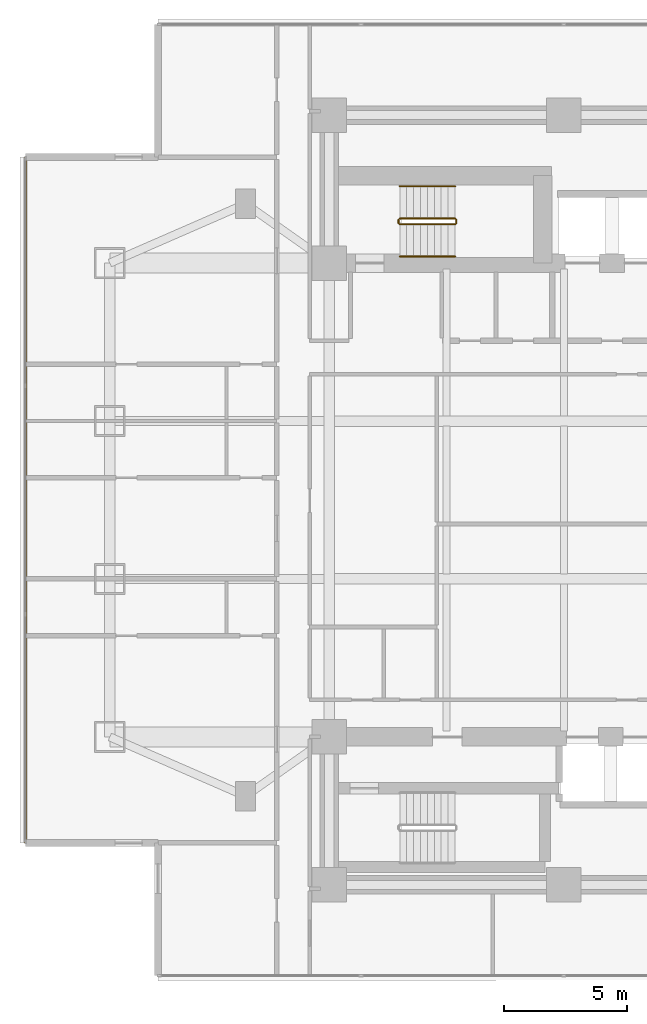
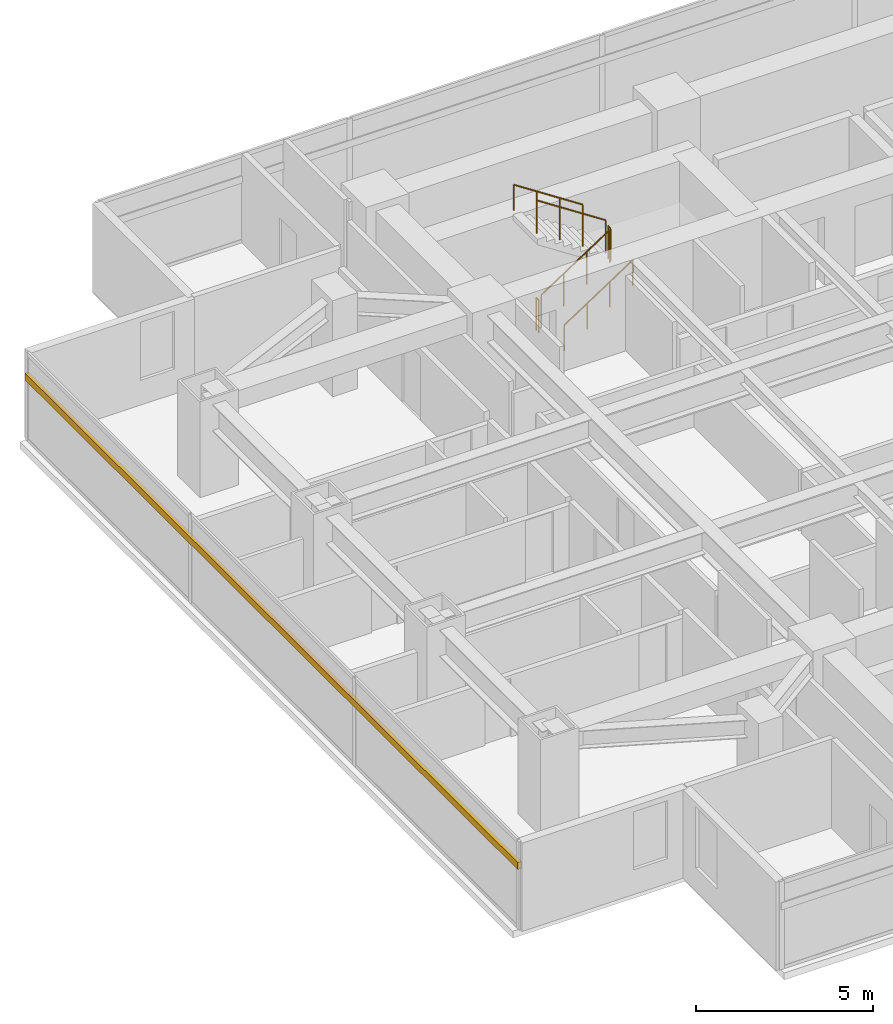
# One storey, part 22 of 25: 6 railings, 1 shading device.
"""IFC4 building model written with IfcOpenShell, lengths in metres."""

from ifc_helpers import new_model, si_unit, direction, frame, origin, origin_2d, place, context, subcontext, project, spatial, rectangle, circle, extrude, material, material_profile, profile_set, type_object, element, save


model = new_model("IFC4")

# Units and contexts
model_context = context("Model", 3, precision=1e-05, world=origin(), true_north=direction((0.0, 1.0)))
body_context = subcontext(model_context, "Body", "Model", "MODEL_VIEW")
ifc_project = project(units=[si_unit("LENGTHUNIT", "METRE"), si_unit("AREAUNIT", "SQUARE_METRE"), si_unit("VOLUMEUNIT", "CUBIC_METRE"), si_unit("PLANEANGLEUNIT", "RADIAN"), si_unit("MASSUNIT", "GRAM", prefix="KILO")], contexts=[model_context])

# Site, building, storey
site_placement = place(None, origin())
site = spatial("IfcSite", under=ifc_project, at=site_placement, CompositionType="ELEMENT")
building_placement = place(site_placement, origin())
building = spatial("IfcBuilding", under=site, at=building_placement, Name="Mirazonda Arch Towers", CompositionType="ELEMENT")
storey_placement = place(building_placement, frame((0.0, 0.0, 32.300048828125)))
storey = spatial("IfcBuildingStorey", under=building, at=storey_placement, Name="L08", CompositionType="ELEMENT", Elevation=32.300048828125)

# Shading device
ifc_material_1 = material(Name="Kiln-Fired Architectural Terracotta", Category="masonry")
ifc_material_profile = material_profile(ifc_material_1, rectangle(XDim=0.1201171875, YDim=0.239990234375, at=origin_2d()), Name="TERRA-BAG-120x240")
ifc_profile_set = profile_set([ifc_material_profile], Name="Kiln-Fired Architectural Terracotta")
shading_device_type = type_object("IfcShadingDeviceType", Name="BAGUETTE-1", PredefinedType="USERDEFINED", material=ifc_profile_set)
shading_device_placement = place(storey_placement, frame((-1.320068359375, 41.89404296875, 2.188720703125), z_axis=(0.0, -1.0, 0.0), x_axis=(1.0, 0.0, 0.0)))
element("IfcShadingDevice", 1, at=shading_device_placement, inside=storey, type_object=shading_device_type, Name="L08 Glazed Terracotta Sun-Screen Baguette CW-L08-T1-W", ObjectType="BAGUETTE", PredefinedType="USERDEFINED", context=body_context, shape_type="SweptSolid", body=[
    extrude(rectangle(XDim=0.1201171875, YDim=0.239990234375, at=origin_2d()), origin(), (0.0, 0.0, 1.0), 27.7880859375),
])

# Railings
ifc_material_2 = material(Name="Architectural Brushed Steel S355", Category="steel")
railing_type_1 = type_object("IfcRailingType", Name="GUARD-STAIR-1120", PredefinedType="GUARDRAIL", material=ifc_material_2)
railing_1_placement = place(storey_placement, frame((13.85009765625, 39.169921875, 0.183349609375)))
element("IfcRailing", 2, at=railing_1_placement, inside=storey, type_object=railing_type_1, Name="L08 ST-T1N stair guard 1", PredefinedType="GUARDRAIL", context=body_context, shape_type="SweptSolid", body=[
    extrude(circle(Radius=0.02392578125, at=origin_2d()), frame((0.0, 0.0, 1.1259765625), z_axis=(0.836636935527, 0.0, 0.547757827979), x_axis=(0.0, 1.0, 0.0)), (0.0, 0.0, 1.0), 2.677490234375),
    extrude(circle(Radius=0.02099609375, at=origin_2d()), origin(), (0.0, 0.0, 1.0), 1.101806640625),
    extrude(circle(Radius=0.02099609375, at=origin_2d()), frame((0.74658203125, 0.0, 0.48876953125)), (0.0, 0.0, 1.0), 1.101806640625),
    extrude(circle(Radius=0.02099609375, at=origin_2d()), frame((1.493408203125, 0.0, 0.977783203125)), (0.0, 0.0, 1.0), 1.101806640625),
    extrude(circle(Radius=0.02099609375, at=origin_2d()), frame((2.239990234375, 0.0, 1.466552734375)), (0.0, 0.0, 1.0), 1.101806640625),
])
railing_2_placement = place(storey_placement, frame((16.139892578125, 39.219970703125, 1.64990234375)))
element("IfcRailing", 3, at=railing_2_placement, inside=storey, type_object=railing_type_1, Name="L08 ST-T1N stair guard 2", PredefinedType="GUARDRAIL", context=body_context, shape_type="SweptSolid", body=[
    extrude(circle(Radius=0.02392578125, at=origin_2d()), frame((0.0, 0.0, 1.1259765625), z_axis=(0.0, 1.0, 0.0), x_axis=(-1.0, 0.0, 0.0)), (0.0, 0.0, 1.0), 0.14013671875),
    extrude(circle(Radius=0.02099609375, at=origin_2d()), origin(), (0.0, 0.0, 1.0), 1.101806640625),
    extrude(circle(Radius=0.02099609375, at=origin_2d()), frame((0.0, 0.14013671875, 0.0)), (0.0, 0.0, 1.0), 1.101806640625),
])
railing_3_placement = place(storey_placement, frame((16.090087890625, 39.409912109375, 1.833251953125)))
element("IfcRailing", 4, at=railing_3_placement, inside=storey, type_object=railing_type_1, Name="L08 ST-T1N stair guard 3", PredefinedType="GUARDRAIL", context=body_context, shape_type="SweptSolid", body=[
    extrude(circle(Radius=0.02392578125, at=origin_2d()), frame((0.0, 0.0, 1.1259765625), z_axis=(-0.836595146698, 0.0, 0.547821650285), x_axis=(0.0, -1.0, 0.0)), (0.0, 0.0, 1.0), 2.677490234375),
    extrude(circle(Radius=0.02099609375, at=origin_2d()), origin(), (0.0, 0.0, 1.0), 1.101806640625),
    extrude(circle(Radius=0.02099609375, at=origin_2d()), frame((-0.74658203125, 0.0, 0.489013671875)), (0.0, 0.0, 1.0), 1.101806640625),
    extrude(circle(Radius=0.02099609375, at=origin_2d()), frame((-1.493408203125, 0.0, 0.977783203125)), (0.0, 0.0, 1.0), 1.101806640625),
    extrude(circle(Radius=0.02099609375, at=origin_2d()), frame((-2.239990234375, 0.0, 1.466796875)), (0.0, 0.0, 1.0), 1.101806640625),
])
railing_4_placement = place(storey_placement, frame((13.800048828125, 39.219970703125, 0.0)))
element("IfcRailing", 5, at=railing_4_placement, inside=storey, type_object=railing_type_1, Name="L08 ST-T1N stair guard 4", PredefinedType="GUARDRAIL", context=body_context, shape_type="SweptSolid", body=[
    extrude(circle(Radius=0.02392578125, at=origin_2d()), frame((0.0, 0.0, 1.1259765625), z_axis=(0.0, 1.0, 0.0), x_axis=(-1.0, 0.0, 0.0)), (0.0, 0.0, 1.0), 0.14013671875),
    extrude(circle(Radius=0.02099609375, at=origin_2d()), origin(), (0.0, 0.0, 1.0), 1.101806640625),
    extrude(circle(Radius=0.02099609375, at=origin_2d()), frame((0.0, 0.14013671875, 0.0)), (0.0, 0.0, 1.0), 1.101806640625),
])
railing_type_2 = type_object("IfcRailingType", Name="HANDRAIL-915", PredefinedType="HANDRAIL", material=ifc_material_2)
railing_5_placement = place(storey_placement, frame((13.85009765625, 37.8701171875, 0.183349609375)))
element("IfcRailing", 6, at=railing_5_placement, inside=storey, type_object=railing_type_2, Name="L08 ST-T1N stair handrail 1", PredefinedType="HANDRAIL", context=body_context, shape_type="SweptSolid", body=[
    extrude(circle(Radius=0.02392578125, at=origin_2d()), frame((0.0, 0.0, 0.8759765625), z_axis=(0.836636935527, 0.0, 0.547757827979), x_axis=(0.0, 1.0, 0.0)), (0.0, 0.0, 1.0), 2.677490234375),
    extrude(circle(Radius=0.02099609375, at=origin_2d()), origin(), (0.0, 0.0, 1.0), 0.851806640625),
    extrude(circle(Radius=0.02099609375, at=origin_2d()), frame((0.74658203125, 0.0, 0.48876953125)), (0.0, 0.0, 1.0), 0.851806640625),
    extrude(circle(Radius=0.02099609375, at=origin_2d()), frame((1.493408203125, 0.0, 0.977783203125)), (0.0, 0.0, 1.0), 0.851806640625),
    extrude(circle(Radius=0.02099609375, at=origin_2d()), frame((2.239990234375, 0.0, 1.466552734375)), (0.0, 0.0, 1.0), 0.851806640625),
])
railing_6_placement = place(storey_placement, frame((16.090087890625, 40.7099609375, 1.833251953125)))
element("IfcRailing", 7, at=railing_6_placement, inside=storey, type_object=railing_type_2, Name="L08 ST-T1N stair handrail 2", PredefinedType="HANDRAIL", context=body_context, shape_type="SweptSolid", body=[
    extrude(circle(Radius=0.02392578125, at=origin_2d()), frame((0.0, 0.0, 0.8759765625), z_axis=(-0.836595146698, 0.0, 0.547821650285), x_axis=(0.0, -1.0, 0.0)), (0.0, 0.0, 1.0), 2.677490234375),
    extrude(circle(Radius=0.02099609375, at=origin_2d()), origin(), (0.0, 0.0, 1.0), 0.851806640625),
    extrude(circle(Radius=0.02099609375, at=origin_2d()), frame((-0.74658203125, 0.0, 0.489013671875)), (0.0, 0.0, 1.0), 0.851806640625),
    extrude(circle(Radius=0.02099609375, at=origin_2d()), frame((-1.493408203125, 0.0, 0.977783203125)), (0.0, 0.0, 1.0), 0.851806640625),
    extrude(circle(Radius=0.02099609375, at=origin_2d()), frame((-2.239990234375, 0.0, 1.466796875)), (0.0, 0.0, 1.0), 0.851806640625),
])

save(model, "model.ifc")
